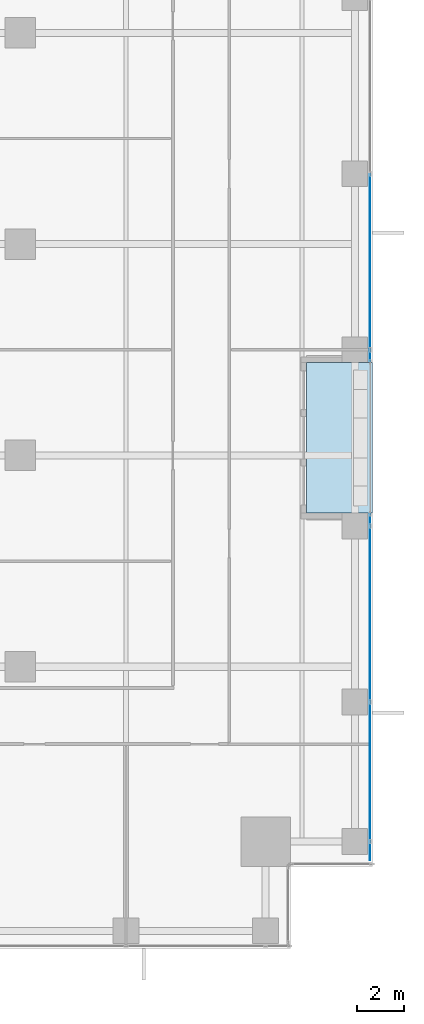
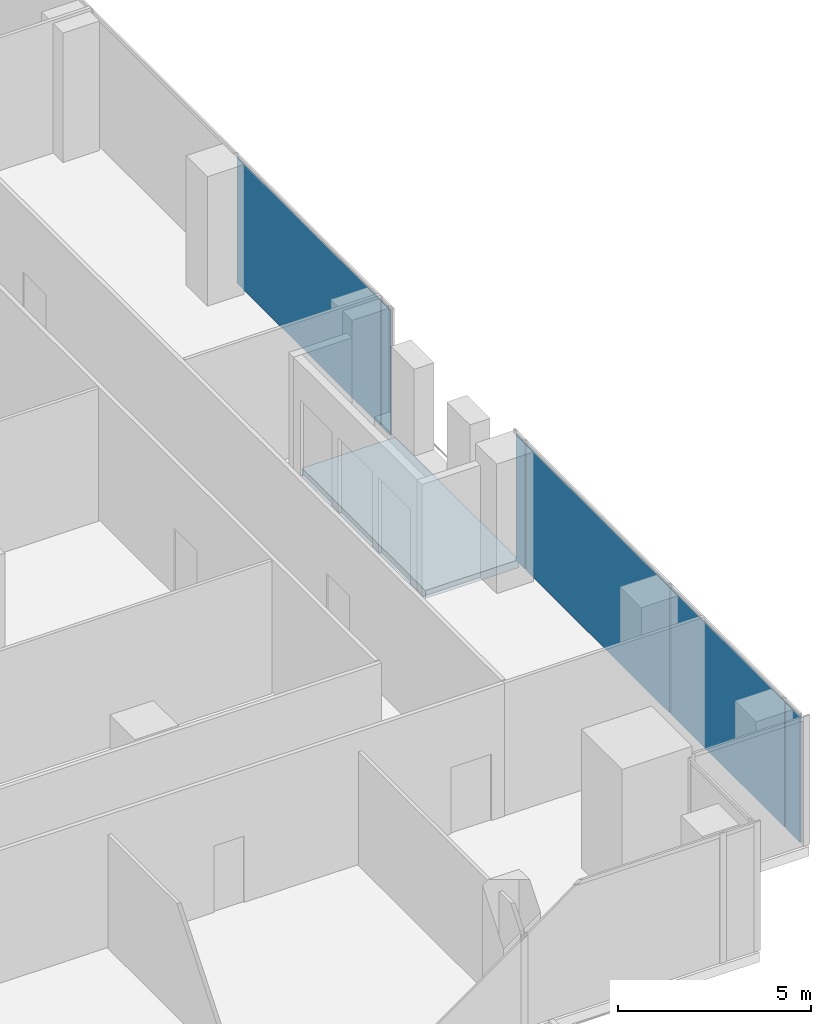
# One storey, part 25 of 34: 6 plates, 1 slab, 2 elements without a shape of their own.
"""IFC4 building model written with IfcOpenShell, lengths in metres."""

from ifc_helpers import new_model, si_unit, direction, frame, origin, origin_2d, place, context, subcontext, project, spatial, polyline, rectangle, outline, extrude, source, transform, mapped, material, layer, layer_set, type_object, element, aggregate, save


model = new_model("IFC4")

# Units and contexts
model_context = context("Model", 3, precision=1e-05, world=origin(), true_north=direction((0.0, 1.0)))
body_context = subcontext(model_context, "Body", "Model", "MODEL_VIEW")
ifc_project = project(units=[si_unit("LENGTHUNIT", "METRE"), si_unit("AREAUNIT", "SQUARE_METRE"), si_unit("VOLUMEUNIT", "CUBIC_METRE"), si_unit("PLANEANGLEUNIT", "RADIAN"), si_unit("MASSUNIT", "GRAM", prefix="KILO")], contexts=[model_context])

# Site, building, storey
site_placement = place(None, origin())
site = spatial("IfcSite", under=ifc_project, at=site_placement, CompositionType="ELEMENT")
building_placement = place(site_placement, origin())
building = spatial("IfcBuilding", under=site, at=building_placement, Name="Khomas Fold Tower", CompositionType="ELEMENT")
storey_placement = place(building_placement, frame((0.0, 0.0, 110.300048828125)))
storey = spatial("IfcBuildingStorey", under=building, at=storey_placement, Name="L23", CompositionType="ELEMENT", Elevation=110.300048828125)

# Curtain wall, plates
ifc_material_1 = material(Name="Aluminium framed double glazing", Category="aluminium")
curtain_wall_type = type_object("IfcCurtainWallType", Name="SK-Unitised clear-glass wall, growing floors CW1", PredefinedType="NOTDEFINED", material=ifc_material_1)
curtain_wall_1_placement = place(storey_placement, origin())
curtain_wall_1 = element("IfcCurtainWall", 1, at=curtain_wall_1_placement, inside=storey, type_object=curtain_wall_type, Name="CW1 run L23 03-0", PredefinedType="NOTDEFINED")
ifc_material_2 = material(Name="Clear double glazed unit")
ifc_layer_1 = layer(ifc_material_2, 0.031982421875)
ifc_layer_set_1 = layer_set([ifc_layer_1], Name="Clear double glazed unit")
plate_type = type_object("IfcPlateType", Name="SK-Unitised clear-glass wall, growing floors glass panel CW1-P", PredefinedType="CURTAIN_PANEL", material=ifc_layer_set_1)
shared_shape_1 = source(origin(), body_context, "Body", "SweptSolid", [
    extrude(rectangle(XDim=0.760009765625, YDim=0.031982421875, at=origin_2d()), origin(), (0.0, 0.0, 1.0), 3.97998046875),
])
plate_1_placement = place(storey_placement, frame((52.39990234375, 5.639892578125, 0.0), z_axis=(0.0, 0.0, 1.0), x_axis=(0.0, 1.0, 0.0)))
plate_1 = element("IfcPlate", 2, at=plate_1_placement, type_object=plate_type, Name="CW1 glass panel 1", PredefinedType="CURTAIN_PANEL", context=body_context, shape_type="MappedRepresentation", body=[
    mapped(shared_shape_1, transform((0.0, 0.0, 0.0))),
])
shared_shape_2 = source(origin(), body_context, "Body", "SweptSolid", [
    extrude(rectangle(XDim=5.889892578125, YDim=0.031982421875, at=origin_2d()), origin(), (0.0, 0.0, 1.0), 3.97998046875),
])
plate_2_placement = place(storey_placement, frame((52.39990234375, 9.02490234375, 0.0), z_axis=(0.0, 0.0, 1.0), x_axis=(0.0, 1.0, 0.0)))
plate_2 = element("IfcPlate", 3, at=plate_2_placement, type_object=plate_type, Name="CW1 glass panel 2", PredefinedType="CURTAIN_PANEL", context=body_context, shape_type="MappedRepresentation", body=[
    mapped(shared_shape_2, transform((0.0, 0.0, 0.0))),
])
shared_shape_3 = source(origin(), body_context, "Body", "SweptSolid", [
    extrude(rectangle(XDim=7.43994140625, YDim=0.031982421875, at=origin_2d()), origin(), (0.0, 0.0, 1.0), 3.97998046875),
])
plate_3_placement = place(storey_placement, frame((52.39990234375, 15.75, 0.0), z_axis=(0.0, 0.0, 1.0), x_axis=(0.0, 1.0, 0.0)))
plate_3 = element("IfcPlate", 4, at=plate_3_placement, type_object=plate_type, Name="CW1 glass panel 3", PredefinedType="CURTAIN_PANEL", context=body_context, shape_type="MappedRepresentation", body=[
    mapped(shared_shape_3, transform((0.0, 0.0, 0.0))),
])

# Curtain wall, plate
curtain_wall_2_placement = place(storey_placement, origin())
curtain_wall_2 = element("IfcCurtainWall", 5, at=curtain_wall_2_placement, inside=storey, type_object=curtain_wall_type, Name="CW1 run L23 03-1", PredefinedType="NOTDEFINED")
plate_4_placement = place(storey_placement, frame((52.39990234375, 30.75, 0.0), z_axis=(0.0, 0.0, 1.0), x_axis=(0.0, 1.0, 0.0)))
plate_4 = element("IfcPlate", 6, at=plate_4_placement, type_object=plate_type, Name="CW1 glass panel 2", PredefinedType="CURTAIN_PANEL", context=body_context, shape_type="MappedRepresentation", body=[
    mapped(shared_shape_3, transform((0.0, 0.0, 0.0))),
])

# Plate
shared_shape_4 = source(origin(), body_context, "Body", "SweptSolid", [
    extrude(rectangle(XDim=0.4599609375, YDim=0.031982421875, at=origin_2d()), origin(), (0.0, 0.0, 1.0), 3.97998046875),
])
plate_5_placement = place(storey_placement, frame((52.39990234375, 19.760009765625, 0.0), z_axis=(0.0, 0.0, 1.0), x_axis=(0.0, 1.0, 0.0)))
plate_5 = element("IfcPlate", 7, at=plate_5_placement, type_object=plate_type, Name="CW1 glass panel 4", PredefinedType="CURTAIN_PANEL", context=body_context, shape_type="MappedRepresentation", body=[
    mapped(shared_shape_4, transform((0.0, 0.0, 0.0))),
])

aggregate(curtain_wall_1, [plate_1, plate_2, plate_3, plate_5])

plate_6_placement = place(storey_placement, frame((52.39990234375, 26.739990234375, 0.0), z_axis=(0.0, 0.0, 1.0), x_axis=(0.0, 1.0, 0.0)))
plate_6 = element("IfcPlate", 8, at=plate_6_placement, type_object=plate_type, Name="CW1 glass panel 1", PredefinedType="CURTAIN_PANEL", context=body_context, shape_type="MappedRepresentation", body=[
    mapped(shared_shape_4, transform((0.0, 0.0, 0.0))),
])

aggregate(curtain_wall_2, [plate_6, plate_4])

# Slab
ifc_material_3 = material(Name="Concrete C40/50", Category="concrete")
ifc_layer_2 = layer(ifc_material_3, 0.2548828125)
ifc_layer_set_2 = layer_set([ifc_layer_2], Name="Concrete C40/50")
slab_type = type_object("IfcSlabType", Name="BL-Balcony deck 255", PredefinedType="FLOOR", material=ifc_layer_set_2)
shared_shape_5 = source(origin(), body_context, "Body", "SweptSolid", [
    extrude(outline(polyline([(49.699951171875, 20.050048828125), (52.5, 20.050048828125), (52.5, 26.449951171875), (49.699951171875, 26.449951171875), (49.699951171875, 20.050048828125)])), origin(), (0.0, 0.0, 1.0), 0.2548828125),
])
slab_placement = place(storey_placement, frame((0.0, 0.0, -0.300048828125)))
element("IfcSlab", 9, at=slab_placement, inside=storey, type_object=slab_type, Name="Balcony deck BAL-L23-E2", PredefinedType="FLOOR", context=body_context, shape_type="MappedRepresentation", body=[
    mapped(shared_shape_5, transform((0.0, 0.0, 0.0))),
])

save(model, "model.ifc")
